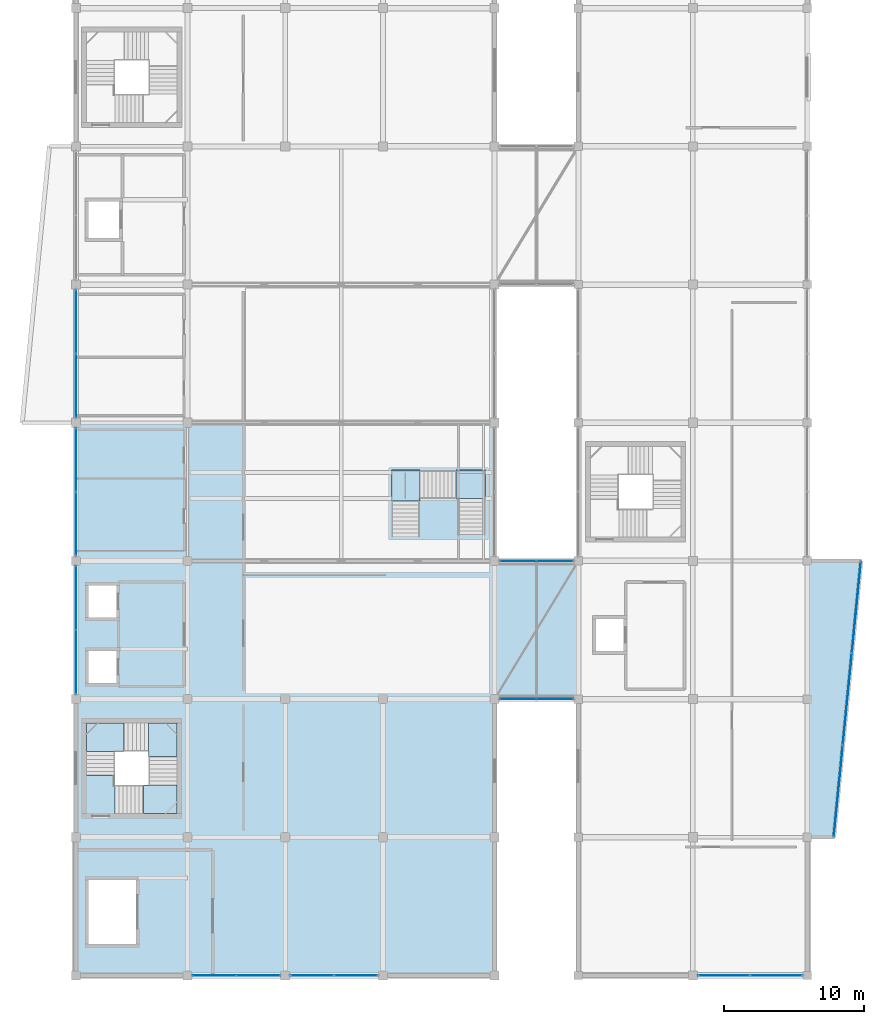
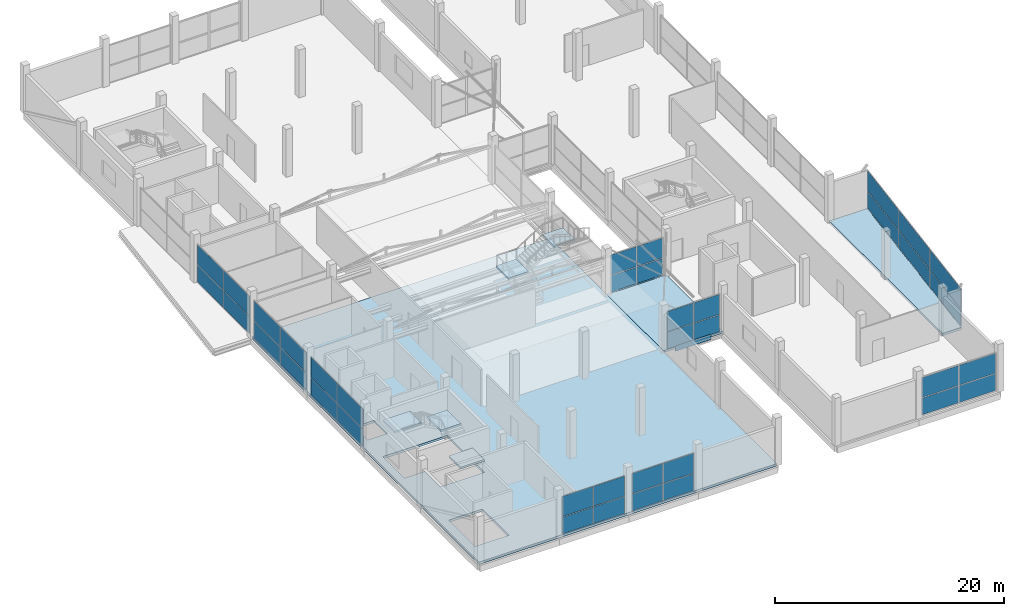
# One storey, part 48 of 66: 44 plates, 8 slabs, 11 elements without a shape of their own.
"""IFC4 building model written with IfcOpenShell, lengths in metres."""

from ifc_helpers import new_model, si_unit, direction, frame, origin, origin_2d, place, context, subcontext, project, spatial, polyline, rectangle, outline, extrude, material, layer, layer_set, type_object, element, aggregate, save


model = new_model("IFC4")

# Units and contexts
model_context = context("Model", 3, precision=1e-05, world=origin(), true_north=direction((0.0, 1.0)))
body_context = subcontext(model_context, "Body", "Model", "MODEL_VIEW")
ifc_project = project(units=[si_unit("LENGTHUNIT", "METRE"), si_unit("AREAUNIT", "SQUARE_METRE"), si_unit("VOLUMEUNIT", "CUBIC_METRE"), si_unit("PLANEANGLEUNIT", "RADIAN"), si_unit("MASSUNIT", "GRAM", prefix="KILO")], contexts=[model_context])

# Site, building, storey
site_placement = place(None, origin())
site = spatial("IfcSite", under=ifc_project, at=site_placement, CompositionType="ELEMENT")
building_placement = place(site_placement, origin())
building = spatial("IfcBuilding", under=site, at=building_placement, Name="Sillaruma Civic Art Gallery", CompositionType="ELEMENT")
storey_placement = place(building_placement, frame((0.0, 0.0, 57.1201171875)))
storey = spatial("IfcBuildingStorey", under=building, at=storey_placement, Name="L11", CompositionType="ELEMENT", Elevation=57.1201171875)

# Plates
ifc_material_1 = material(Name="Anodised Zinc-Aluminium Alloy", Category="aluminium")
ifc_layer_1 = layer(ifc_material_1, 0.044921875, Name="Anodised Zinc-Aluminium Alloy")
ifc_layer_set_1 = layer_set([ifc_layer_1], Name="Anodised Zinc-Aluminium Alloy")
plate_type_1 = type_object("IfcPlateType", Name="PLT-FAS-01", PredefinedType="USERDEFINED", material=ifc_layer_set_1)
for number, where, z_axis, x_axis, name in (
    (1, (117.95751953125, 46.530029296875, -0.490234375), (0.0, 0.0, 1.0), (0.098010679679, 0.99518536297, 0.0), "Folded Fascia Cassette (PRW-L11-E-4)"),
    (2, (95.0, 39.60009765625, -0.47021484375), (0.0, 0.0, 1.0), (1.0, 0.0, 0.0), "Sky-Bridge Fascia Cassette (BRG-S:L11:S)"),
    (3, (95.0, 49.5, -0.47021484375), (0.0, 0.0, 1.0), (1.0, 0.0, 0.0), "Sky-Bridge Fascia Cassette (BRG-S:L11:N)"),
):
    element("IfcPlate", number, at=place(storey_placement, frame(where, z_axis=z_axis, x_axis=x_axis)), inside=storey, type_object=plate_type_1, Name=name, ObjectType="FASCIA CASSETTE", PredefinedType="USERDEFINED", context=body_context, shape_type="SweptSolid", body=[
        extrude(rectangle(XDim=3.60009765625, YDim=0.044921875, at=origin_2d()), origin(), (0.0, 0.0, 1.0), 0.580078125),
    ])
ifc_layer_2 = layer(ifc_material_1, 0.041015625, Name="Anodised Zinc-Aluminium Alloy")
ifc_layer_set_2 = layer_set([ifc_layer_2], Name="Anodised Zinc-Aluminium Alloy")
plate_type_2 = type_object("IfcPlateType", Name="PLT-FAS-02", PredefinedType="USERDEFINED", material=ifc_layer_set_2)
plate_1_placement = place(storey_placement, frame((116.592529296875, 32.669921875, -0.460205078125), z_axis=(0.0, 0.0, 1.0), x_axis=(0.098010679679, 0.99518536297, 0.0)))
element("IfcPlate", 4, at=plate_1_placement, inside=storey, type_object=plate_type_2, Name="Folded Fascia Cassette (PRW-L11-E-1)", ObjectType="FASCIA CASSETTE", PredefinedType="USERDEFINED", context=body_context, shape_type="SweptSolid", body=[
    extrude(rectangle(XDim=3.199951171875, YDim=0.041015625, at=origin_2d()), origin(), (0.0, 0.0, 1.0), 0.52001953125),
])
ifc_layer_3 = layer(ifc_material_1, 0.0380859375, Name="Anodised Zinc-Aluminium Alloy")
ifc_layer_set_3 = layer_set([ifc_layer_3], Name="Anodised Zinc-Aluminium Alloy")
plate_type_3 = type_object("IfcPlateType", Name="PLT-FAS-03", PredefinedType="USERDEFINED", material=ifc_layer_set_3)
plate_2_placement = place(storey_placement, frame((117.041015625, 37.22412109375, -0.440185546875), z_axis=(0.0, 0.0, 1.0), x_axis=(0.098010679679, 0.99518536297, 0.0)))
element("IfcPlate", 5, at=plate_2_placement, inside=storey, type_object=plate_type_3, Name="Folded Fascia Cassette (PRW-L11-E-2)", ObjectType="FASCIA CASSETTE", PredefinedType="USERDEFINED", context=body_context, shape_type="SweptSolid", body=[
    extrude(rectangle(XDim=2.800048828125, YDim=0.0380859375, at=origin_2d()), origin(), (0.0, 0.0, 1.0), 0.47998046875),
])
ifc_layer_4 = layer(ifc_material_1, 0.034912109375, Name="Anodised Zinc-Aluminium Alloy")
ifc_layer_set_4 = layer_set([ifc_layer_4], Name="Anodised Zinc-Aluminium Alloy")
plate_type_4 = type_object("IfcPlateType", Name="PLT-FAS-04", PredefinedType="USERDEFINED", material=ifc_layer_set_4)
plate_3_placement = place(storey_placement, frame((117.509033203125, 41.97607421875, -0.420166015625), z_axis=(0.0, 0.0, 1.0), x_axis=(0.098010679679, 0.99518536297, 0.0)))
element("IfcPlate", 6, at=plate_3_placement, inside=storey, type_object=plate_type_4, Name="Folded Fascia Cassette (PRW-L11-E-3)", ObjectType="FASCIA CASSETTE", PredefinedType="USERDEFINED", context=body_context, shape_type="SweptSolid", body=[
    extrude(rectangle(XDim=2.39990234375, YDim=0.034912109375, at=origin_2d()), origin(), (0.0, 0.0, 1.0), 0.43994140625),
])

# Curtain wall, plates
ifc_material_2 = material(Name="Thermally Broken Extruded Aluminium 6063-T6", Category="aluminium")
ifc_layer_5 = layer(ifc_material_2, 0.159912109375, Name="Thermally Broken Extruded Aluminium 6063-T6")
ifc_layer_set_5 = layer_set([ifc_layer_5], Name="Thermally Broken Extruded Aluminium 6063-T6")
curtain_wall_type_1 = type_object("IfcCurtainWallType", Name="CW-UNI-69", PredefinedType="NOTDEFINED", material=ifc_layer_set_5)
curtain_wall_1_placement = place(storey_placement, origin())
curtain_wall_1 = element("IfcCurtainWall", 7, at=curtain_wall_1_placement, inside=storey, type_object=curtain_wall_type_1, Name="Unitised Curtain Wall CW-69 (CW-L11-WBW-5)", PredefinedType="NOTDEFINED")
ifc_material_3 = material(Name="Low-E UV-Filtered Laminated Insulating Glass", Category="glass")
ifc_layer_6 = layer(ifc_material_3, 0.031982421875, Name="Low-E UV-Filtered Laminated Insulating Glass")
ifc_layer_set_6 = layer_set([ifc_layer_6], Name="Low-E UV-Filtered Laminated Insulating Glass")
plate_type_5 = type_object("IfcPlateType", Name="PNL-GLZ-32", PredefinedType="CURTAIN_PANEL", material=ifc_layer_set_6)
plate_4_placement = place(storey_placement, frame((62.0, 62.0537109375, 0.06494140625), z_axis=(0.0, 0.0, 1.0), x_axis=(0.0, 1.0, 0.0)))
plate_4 = element("IfcPlate", 8, at=plate_4_placement, type_object=plate_type_5, Name="CW-69 panel 1.1", PredefinedType="CURTAIN_PANEL", context=body_context, shape_type="SweptSolid", body=[
    extrude(rectangle(XDim=4.527587890625, YDim=0.031982421875, at=origin_2d()), origin(), (0.0, 0.0, 1.0), 1.797607421875),
])
plate_5_placement = place(storey_placement, frame((62.0, 62.0537109375, 1.927734375), z_axis=(0.0, 0.0, 1.0), x_axis=(0.0, 1.0, 0.0)))
plate_5 = element("IfcPlate", 9, at=plate_5_placement, type_object=plate_type_5, Name="CW-69 panel 1.2", PredefinedType="CURTAIN_PANEL", context=body_context, shape_type="SweptSolid", body=[
    extrude(rectangle(XDim=4.527587890625, YDim=0.031982421875, at=origin_2d()), origin(), (0.0, 0.0, 1.0), 2.127197265625),
])
plate_6_placement = place(storey_placement, frame((62.0, 66.646240234375, 0.06494140625), z_axis=(0.0, 0.0, 1.0), x_axis=(0.0, 1.0, 0.0)))
plate_6 = element("IfcPlate", 10, at=plate_6_placement, type_object=plate_type_5, Name="CW-69 panel 2.1", PredefinedType="CURTAIN_PANEL", context=body_context, shape_type="SweptSolid", body=[
    extrude(rectangle(XDim=4.527587890625, YDim=0.031982421875, at=origin_2d()), origin(), (0.0, 0.0, 1.0), 1.797607421875),
])
plate_7_placement = place(storey_placement, frame((62.0, 66.646240234375, 1.927734375), z_axis=(0.0, 0.0, 1.0), x_axis=(0.0, 1.0, 0.0)))
plate_7 = element("IfcPlate", 11, at=plate_7_placement, type_object=plate_type_5, Name="CW-69 panel 2.2", PredefinedType="CURTAIN_PANEL", context=body_context, shape_type="SweptSolid", body=[
    extrude(rectangle(XDim=4.527587890625, YDim=0.031982421875, at=origin_2d()), origin(), (0.0, 0.0, 1.0), 2.127197265625),
])
aggregate(curtain_wall_1, [plate_4, plate_5, plate_6, plate_7])

ifc_layer_7 = layer(ifc_material_2, 0.139892578125, Name="Thermally Broken Extruded Aluminium 6063-T6")
ifc_layer_set_7 = layer_set([ifc_layer_7], Name="Thermally Broken Extruded Aluminium 6063-T6")
curtain_wall_type_2 = type_object("IfcCurtainWallType", Name="CW-UNI-70", PredefinedType="NOTDEFINED", material=ifc_layer_set_7)
curtain_wall_2_placement = place(storey_placement, origin())
curtain_wall_2 = element("IfcCurtainWall", 12, at=curtain_wall_2_placement, inside=storey, type_object=curtain_wall_type_2, Name="Unitised Curtain Wall CW-70 (CW-L11-WBW-3)", PredefinedType="NOTDEFINED")
ifc_layer_8 = layer(ifc_material_3, 0.033935546875, Name="Low-E UV-Filtered Laminated Insulating Glass")
ifc_layer_set_8 = layer_set([ifc_layer_8], Name="Low-E UV-Filtered Laminated Insulating Glass")
plate_type_6 = type_object("IfcPlateType", Name="PNL-GLZ-34", PredefinedType="CURTAIN_PANEL", material=ifc_layer_set_8)
plate_8_placement = place(storey_placement, frame((62.0, 42.25244140625, 0.06494140625), z_axis=(0.0, 0.0, 1.0), x_axis=(0.0, 1.0, 0.0)))
plate_8 = element("IfcPlate", 13, at=plate_8_placement, type_object=plate_type_6, Name="CW-70 panel 1.1", PredefinedType="CURTAIN_PANEL", context=body_context, shape_type="SweptSolid", body=[
    extrude(rectangle(XDim=4.534912109375, YDim=0.033935546875, at=origin_2d()), origin(), (0.0, 0.0, 1.0), 1.797607421875),
])
plate_9_placement = place(storey_placement, frame((62.0, 42.25244140625, 1.927734375), z_axis=(0.0, 0.0, 1.0), x_axis=(0.0, 1.0, 0.0)))
plate_9 = element("IfcPlate", 14, at=plate_9_placement, type_object=plate_type_6, Name="CW-70 panel 1.2", PredefinedType="CURTAIN_PANEL", context=body_context, shape_type="SweptSolid", body=[
    extrude(rectangle(XDim=4.534912109375, YDim=0.033935546875, at=origin_2d()), origin(), (0.0, 0.0, 1.0), 2.127197265625),
])
plate_10_placement = place(storey_placement, frame((62.0, 46.847412109375, 0.06494140625), z_axis=(0.0, 0.0, 1.0), x_axis=(0.0, 1.0, 0.0)))
plate_10 = element("IfcPlate", 15, at=plate_10_placement, type_object=plate_type_6, Name="CW-70 panel 2.1", PredefinedType="CURTAIN_PANEL", context=body_context, shape_type="SweptSolid", body=[
    extrude(rectangle(XDim=4.534912109375, YDim=0.033935546875, at=origin_2d()), origin(), (0.0, 0.0, 1.0), 1.797607421875),
])
plate_11_placement = place(storey_placement, frame((62.0, 46.847412109375, 1.927734375), z_axis=(0.0, 0.0, 1.0), x_axis=(0.0, 1.0, 0.0)))
plate_11 = element("IfcPlate", 16, at=plate_11_placement, type_object=plate_type_6, Name="CW-70 panel 2.2", PredefinedType="CURTAIN_PANEL", context=body_context, shape_type="SweptSolid", body=[
    extrude(rectangle(XDim=4.534912109375, YDim=0.033935546875, at=origin_2d()), origin(), (0.0, 0.0, 1.0), 2.127197265625),
])
aggregate(curtain_wall_2, [plate_8, plate_9, plate_10, plate_11])

ifc_layer_9 = layer(ifc_material_2, 0.139892578125, Name="Thermally Broken Extruded Aluminium 6063-T6")
ifc_layer_set_9 = layer_set([ifc_layer_9], Name="Thermally Broken Extruded Aluminium 6063-T6")
curtain_wall_type_3 = type_object("IfcCurtainWallType", Name="CW-UNI-76", PredefinedType="NOTDEFINED", material=ifc_layer_set_9)
curtain_wall_3_placement = place(storey_placement, origin())
curtain_wall_3 = element("IfcCurtainWall", 17, at=curtain_wall_3_placement, inside=storey, type_object=curtain_wall_type_3, Name="Unitised Curtain Wall CW-76 (CW-L11-WBS-2)", PredefinedType="NOTDEFINED")
plate_12_placement = place(storey_placement, frame((71.927490234375, 19.800048828125, 0.06494140625), z_axis=(0.0, 0.0, 1.0), x_axis=(1.0, 0.0, 0.0)))
plate_12 = element("IfcPlate", 18, at=plate_12_placement, type_object=plate_type_6, Name="CW-76 panel 1.1", PredefinedType="CURTAIN_PANEL", context=body_context, shape_type="SweptSolid", body=[
    extrude(rectangle(XDim=3.0849609375, YDim=0.033935546875, at=origin_2d()), origin(), (0.0, 0.0, 1.0), 1.797607421875),
])
plate_13_placement = place(storey_placement, frame((71.927490234375, 19.800048828125, 1.927734375), z_axis=(0.0, 0.0, 1.0), x_axis=(1.0, 0.0, 0.0)))
plate_13 = element("IfcPlate", 19, at=plate_13_placement, type_object=plate_type_6, Name="CW-76 panel 1.2", PredefinedType="CURTAIN_PANEL", context=body_context, shape_type="SweptSolid", body=[
    extrude(rectangle(XDim=3.0849609375, YDim=0.033935546875, at=origin_2d()), origin(), (0.0, 0.0, 1.0), 2.127197265625),
])
plate_14_placement = place(storey_placement, frame((75.072509765625, 19.800048828125, 0.06494140625), z_axis=(0.0, 0.0, 1.0), x_axis=(1.0, 0.0, 0.0)))
plate_14 = element("IfcPlate", 20, at=plate_14_placement, type_object=plate_type_6, Name="CW-76 panel 2.1", PredefinedType="CURTAIN_PANEL", context=body_context, shape_type="SweptSolid", body=[
    extrude(rectangle(XDim=3.0849609375, YDim=0.033935546875, at=origin_2d()), origin(), (0.0, 0.0, 1.0), 1.797607421875),
])
plate_15_placement = place(storey_placement, frame((75.072509765625, 19.800048828125, 1.927734375), z_axis=(0.0, 0.0, 1.0), x_axis=(1.0, 0.0, 0.0)))
plate_15 = element("IfcPlate", 21, at=plate_15_placement, type_object=plate_type_6, Name="CW-76 panel 2.2", PredefinedType="CURTAIN_PANEL", context=body_context, shape_type="SweptSolid", body=[
    extrude(rectangle(XDim=3.0849609375, YDim=0.033935546875, at=origin_2d()), origin(), (0.0, 0.0, 1.0), 2.127197265625),
])
aggregate(curtain_wall_3, [plate_12, plate_13, plate_14, plate_15])

ifc_layer_10 = layer(ifc_material_2, 0.179931640625, Name="Thermally Broken Extruded Aluminium 6063-T6")
ifc_layer_set_10 = layer_set([ifc_layer_10], Name="Thermally Broken Extruded Aluminium 6063-T6")
curtain_wall_type_4 = type_object("IfcCurtainWallType", Name="CW-UNI-66", PredefinedType="NOTDEFINED", material=ifc_layer_set_10)
curtain_wall_4_placement = place(storey_placement, origin())
curtain_wall_4 = element("IfcCurtainWall", 22, at=curtain_wall_4_placement, inside=storey, type_object=curtain_wall_type_4, Name="Unitised Curtain Wall CW-66 (CW-L11-WBW-4)", PredefinedType="NOTDEFINED")
ifc_layer_11 = layer(ifc_material_3, 0.035888671875, Name="Low-E UV-Filtered Laminated Insulating Glass")
ifc_layer_set_11 = layer_set([ifc_layer_11], Name="Low-E UV-Filtered Laminated Insulating Glass")
plate_type_7 = type_object("IfcPlateType", Name="PNL-GLZ-36", PredefinedType="CURTAIN_PANEL", material=ifc_layer_set_11)
plate_16_placement = place(storey_placement, frame((62.0, 52.155029296875, 0.06982421875), z_axis=(0.0, 0.0, 1.0), x_axis=(0.0, 1.0, 0.0)))
plate_16 = element("IfcPlate", 23, at=plate_16_placement, type_object=plate_type_7, Name="CW-66 panel 1.1", PredefinedType="CURTAIN_PANEL", context=body_context, shape_type="SweptSolid", body=[
    extrude(rectangle(XDim=4.52001953125, YDim=0.035888671875, at=origin_2d()), origin(), (0.0, 0.0, 1.0), 1.790283203125),
])
plate_17_placement = place(storey_placement, frame((62.0, 52.155029296875, 1.93017578125), z_axis=(0.0, 0.0, 1.0), x_axis=(0.0, 1.0, 0.0)))
plate_17 = element("IfcPlate", 24, at=plate_17_placement, type_object=plate_type_7, Name="CW-66 panel 1.2", PredefinedType="CURTAIN_PANEL", context=body_context, shape_type="SweptSolid", body=[
    extrude(rectangle(XDim=4.52001953125, YDim=0.035888671875, at=origin_2d()), origin(), (0.0, 0.0, 1.0), 2.119873046875),
])
plate_18_placement = place(storey_placement, frame((62.0, 56.7451171875, 0.06982421875), z_axis=(0.0, 0.0, 1.0), x_axis=(0.0, 1.0, 0.0)))
plate_18 = element("IfcPlate", 25, at=plate_18_placement, type_object=plate_type_7, Name="CW-66 panel 2.1", PredefinedType="CURTAIN_PANEL", context=body_context, shape_type="SweptSolid", body=[
    extrude(rectangle(XDim=4.52001953125, YDim=0.035888671875, at=origin_2d()), origin(), (0.0, 0.0, 1.0), 1.790283203125),
])
plate_19_placement = place(storey_placement, frame((62.0, 56.7451171875, 1.93017578125), z_axis=(0.0, 0.0, 1.0), x_axis=(0.0, 1.0, 0.0)))
plate_19 = element("IfcPlate", 26, at=plate_19_placement, type_object=plate_type_7, Name="CW-66 panel 2.2", PredefinedType="CURTAIN_PANEL", context=body_context, shape_type="SweptSolid", body=[
    extrude(rectangle(XDim=4.52001953125, YDim=0.035888671875, at=origin_2d()), origin(), (0.0, 0.0, 1.0), 2.119873046875),
])
aggregate(curtain_wall_4, [plate_16, plate_17, plate_18, plate_19])

ifc_layer_12 = layer(ifc_material_2, 0.179931640625, Name="Thermally Broken Extruded Aluminium 6063-T6")
ifc_layer_set_12 = layer_set([ifc_layer_12], Name="Thermally Broken Extruded Aluminium 6063-T6")
curtain_wall_type_5 = type_object("IfcCurtainWallType", Name="CW-UNI-86", PredefinedType="NOTDEFINED", material=ifc_layer_set_12)
curtain_wall_5_placement = place(storey_placement, origin())
curtain_wall_5 = element("IfcCurtainWall", 27, at=curtain_wall_5_placement, inside=storey, type_object=curtain_wall_type_5, Name="Unitised Curtain Wall CW-86 (CW-L11-WBS-3)", PredefinedType="NOTDEFINED")
plate_20_placement = place(storey_placement, frame((78.929931640625, 19.800048828125, 0.06982421875), z_axis=(0.0, 0.0, 1.0), x_axis=(1.0, 0.0, 0.0)))
plate_20 = element("IfcPlate", 28, at=plate_20_placement, type_object=plate_type_7, Name="CW-86 panel 1.1", PredefinedType="CURTAIN_PANEL", context=body_context, shape_type="SweptSolid", body=[
    extrude(rectangle(XDim=3.070068359375, YDim=0.035888671875, at=origin_2d()), origin(), (0.0, 0.0, 1.0), 1.790283203125),
])
plate_21_placement = place(storey_placement, frame((78.929931640625, 19.800048828125, 1.93017578125), z_axis=(0.0, 0.0, 1.0), x_axis=(1.0, 0.0, 0.0)))
plate_21 = element("IfcPlate", 29, at=plate_21_placement, type_object=plate_type_7, Name="CW-86 panel 1.2", PredefinedType="CURTAIN_PANEL", context=body_context, shape_type="SweptSolid", body=[
    extrude(rectangle(XDim=3.070068359375, YDim=0.035888671875, at=origin_2d()), origin(), (0.0, 0.0, 1.0), 2.119873046875),
])
plate_22_placement = place(storey_placement, frame((82.070068359375, 19.800048828125, 0.06982421875), z_axis=(0.0, 0.0, 1.0), x_axis=(1.0, 0.0, 0.0)))
plate_22 = element("IfcPlate", 30, at=plate_22_placement, type_object=plate_type_7, Name="CW-86 panel 2.1", PredefinedType="CURTAIN_PANEL", context=body_context, shape_type="SweptSolid", body=[
    extrude(rectangle(XDim=3.070068359375, YDim=0.035888671875, at=origin_2d()), origin(), (0.0, 0.0, 1.0), 1.790283203125),
])
plate_23_placement = place(storey_placement, frame((82.070068359375, 19.800048828125, 1.93017578125), z_axis=(0.0, 0.0, 1.0), x_axis=(1.0, 0.0, 0.0)))
plate_23 = element("IfcPlate", 31, at=plate_23_placement, type_object=plate_type_7, Name="CW-86 panel 2.2", PredefinedType="CURTAIN_PANEL", context=body_context, shape_type="SweptSolid", body=[
    extrude(rectangle(XDim=3.070068359375, YDim=0.035888671875, at=origin_2d()), origin(), (0.0, 0.0, 1.0), 2.119873046875),
])
aggregate(curtain_wall_5, [plate_20, plate_21, plate_22, plate_23])

ifc_layer_13 = layer(ifc_material_2, 0.179931640625, Name="Thermally Broken Extruded Aluminium 6063-T6")
ifc_layer_set_13 = layer_set([ifc_layer_13], Name="Thermally Broken Extruded Aluminium 6063-T6")
curtain_wall_type_6 = type_object("IfcCurtainWallType", Name="CW-UNI-87", PredefinedType="NOTDEFINED", material=ifc_layer_set_13)
curtain_wall_6_placement = place(storey_placement, origin())
curtain_wall_6 = element("IfcCurtainWall", 32, at=curtain_wall_6_placement, inside=storey, type_object=curtain_wall_type_6, Name="Unitised Curtain Wall CW-87 (CW-L11-EBS-2)", PredefinedType="NOTDEFINED")
plate_24_placement = place(storey_placement, frame((108.436279296875, 19.800048828125, 0.06982421875), z_axis=(0.0, 0.0, 1.0), x_axis=(1.0, 0.0, 0.0)))
plate_24 = element("IfcPlate", 33, at=plate_24_placement, type_object=plate_type_7, Name="CW-87 panel 1.1", PredefinedType="CURTAIN_PANEL", context=body_context, shape_type="SweptSolid", body=[
    extrude(rectangle(XDim=3.6826171875, YDim=0.035888671875, at=origin_2d()), origin(), (0.0, 0.0, 1.0), 1.790283203125),
])
plate_25_placement = place(storey_placement, frame((108.436279296875, 19.800048828125, 1.93017578125), z_axis=(0.0, 0.0, 1.0), x_axis=(1.0, 0.0, 0.0)))
plate_25 = element("IfcPlate", 34, at=plate_25_placement, type_object=plate_type_7, Name="CW-87 panel 1.2", PredefinedType="CURTAIN_PANEL", context=body_context, shape_type="SweptSolid", body=[
    extrude(rectangle(XDim=3.6826171875, YDim=0.035888671875, at=origin_2d()), origin(), (0.0, 0.0, 1.0), 2.119873046875),
])
plate_26_placement = place(storey_placement, frame((112.188720703125, 19.800048828125, 0.06982421875), z_axis=(0.0, 0.0, 1.0), x_axis=(1.0, 0.0, 0.0)))
plate_26 = element("IfcPlate", 35, at=plate_26_placement, type_object=plate_type_7, Name="CW-87 panel 2.1", PredefinedType="CURTAIN_PANEL", context=body_context, shape_type="SweptSolid", body=[
    extrude(rectangle(XDim=3.6826171875, YDim=0.035888671875, at=origin_2d()), origin(), (0.0, 0.0, 1.0), 1.790283203125),
])
plate_27_placement = place(storey_placement, frame((112.188720703125, 19.800048828125, 1.93017578125), z_axis=(0.0, 0.0, 1.0), x_axis=(1.0, 0.0, 0.0)))
plate_27 = element("IfcPlate", 36, at=plate_27_placement, type_object=plate_type_7, Name="CW-87 panel 2.2", PredefinedType="CURTAIN_PANEL", context=body_context, shape_type="SweptSolid", body=[
    extrude(rectangle(XDim=3.6826171875, YDim=0.035888671875, at=origin_2d()), origin(), (0.0, 0.0, 1.0), 2.119873046875),
])
aggregate(curtain_wall_6, [plate_24, plate_25, plate_26, plate_27])

ifc_layer_14 = layer(ifc_material_2, 0.179931640625, Name="Thermally Broken Extruded Aluminium 6063-T6")
ifc_layer_set_14 = layer_set([ifc_layer_14], Name="Thermally Broken Extruded Aluminium 6063-T6")
curtain_wall_type_7 = type_object("IfcCurtainWallType", Name="CW-UNI-88", PredefinedType="NOTDEFINED", material=ifc_layer_set_14)
curtain_wall_7_placement = place(storey_placement, origin())
curtain_wall_7 = element("IfcCurtainWall", 37, at=curtain_wall_7_placement, inside=storey, type_object=curtain_wall_type_7, Name="Unitised Curtain Wall CW-88 (CW-PRW-L11-E-ANG)", PredefinedType="NOTDEFINED")
ifc_layer_15 = layer(ifc_material_3, 0.0400390625, Name="Low-E UV-Filtered Laminated Insulating Glass")
ifc_layer_set_15 = layer_set([ifc_layer_15], Name="Low-E UV-Filtered Laminated Insulating Glass")
plate_type_8 = type_object("IfcPlateType", Name="PNL-GLZ-40", PredefinedType="CURTAIN_PANEL", material=ifc_layer_set_15)
plate_28_placement = place(storey_placement, frame((116.626708984375, 33.017333984375, 0.06494140625), z_axis=(0.0, 0.0, 1.0), x_axis=(0.098010679679, 0.99518536297, 0.0)))
plate_28 = element("IfcPlate", 38, at=plate_28_placement, type_object=plate_type_8, Name="CW-88 panel 1.1", PredefinedType="CURTAIN_PANEL", context=body_context, shape_type="SweptSolid", body=[
    extrude(rectangle(XDim=6.52685546875, YDim=0.0400390625, at=origin_2d()), origin(), (0.0, 0.0, 1.0), 1.797607421875),
])
plate_29_placement = place(storey_placement, frame((116.626708984375, 33.017333984375, 1.927734375), z_axis=(0.0, 0.0, 1.0), x_axis=(0.098010679679, 0.99518536297, 0.0)))
plate_29 = element("IfcPlate", 39, at=plate_29_placement, type_object=plate_type_8, Name="CW-88 panel 1.2", PredefinedType="CURTAIN_PANEL", context=body_context, shape_type="SweptSolid", body=[
    extrude(rectangle(XDim=6.52685546875, YDim=0.0400390625, at=origin_2d()), origin(), (0.0, 0.0, 1.0), 2.127197265625),
])
plate_30_placement = place(storey_placement, frame((117.27490234375, 39.60009765625, 0.06494140625), z_axis=(0.0, 0.0, 1.0), x_axis=(0.098010679679, 0.99518536297, 0.0)))
plate_30 = element("IfcPlate", 40, at=plate_30_placement, type_object=plate_type_8, Name="CW-88 panel 2.1", PredefinedType="CURTAIN_PANEL", context=body_context, shape_type="SweptSolid", body=[
    extrude(rectangle(XDim=6.56201171875, YDim=0.0400390625, at=origin_2d()), origin(), (0.0, 0.0, 1.0), 1.797607421875),
])
plate_31_placement = place(storey_placement, frame((117.27490234375, 39.60009765625, 1.927734375), z_axis=(0.0, 0.0, 1.0), x_axis=(0.098010679679, 0.99518536297, 0.0)))
plate_31 = element("IfcPlate", 41, at=plate_31_placement, type_object=plate_type_8, Name="CW-88 panel 2.2", PredefinedType="CURTAIN_PANEL", context=body_context, shape_type="SweptSolid", body=[
    extrude(rectangle(XDim=6.56201171875, YDim=0.0400390625, at=origin_2d()), origin(), (0.0, 0.0, 1.0), 2.127197265625),
])
plate_32_placement = place(storey_placement, frame((117.92333984375, 46.1826171875, 0.06494140625), z_axis=(0.0, 0.0, 1.0), x_axis=(0.098010679679, 0.99518536297, 0.0)))
plate_32 = element("IfcPlate", 42, at=plate_32_placement, type_object=plate_type_8, Name="CW-88 panel 3.1", PredefinedType="CURTAIN_PANEL", context=body_context, shape_type="SweptSolid", body=[
    extrude(rectangle(XDim=6.52685546875, YDim=0.0400390625, at=origin_2d()), origin(), (0.0, 0.0, 1.0), 1.797607421875),
])
plate_33_placement = place(storey_placement, frame((117.92333984375, 46.1826171875, 1.927734375), z_axis=(0.0, 0.0, 1.0), x_axis=(0.098010679679, 0.99518536297, 0.0)))
plate_33 = element("IfcPlate", 43, at=plate_33_placement, type_object=plate_type_8, Name="CW-88 panel 3.2", PredefinedType="CURTAIN_PANEL", context=body_context, shape_type="SweptSolid", body=[
    extrude(rectangle(XDim=6.52685546875, YDim=0.0400390625, at=origin_2d()), origin(), (0.0, 0.0, 1.0), 2.127197265625),
])
aggregate(curtain_wall_7, [plate_28, plate_29, plate_30, plate_31, plate_32, plate_33])

# Curtain wall, plate
ifc_layer_16 = layer(ifc_material_2, 0.179931640625, Name="Thermally Broken Extruded Aluminium 6063-T6")
ifc_layer_set_16 = layer_set([ifc_layer_16], Name="Thermally Broken Extruded Aluminium 6063-T6")
curtain_wall_type_8 = type_object("IfcCurtainWallType", Name="CW-UNI-89", PredefinedType="NOTDEFINED", material=ifc_layer_set_16)
curtain_wall_8_placement = place(storey_placement, origin())
curtain_wall_8 = element("IfcCurtainWall", 44, at=curtain_wall_8_placement, inside=storey, type_object=curtain_wall_type_8, Name="Unitised Curtain Wall CW-89 (CW-BRG-S-L11-S)", PredefinedType="NOTDEFINED")
plate_34_placement = place(storey_placement, frame((93.686279296875, 39.60009765625, 0.06494140625), z_axis=(0.0, 0.0, 1.0), x_axis=(1.0, 0.0, 0.0)))
plate_34 = element("IfcPlate", 45, at=plate_34_placement, type_object=plate_type_8, Name="CW-89 panel 1.1", PredefinedType="CURTAIN_PANEL", context=body_context, shape_type="SweptSolid", body=[
    extrude(rectangle(XDim=2.58251953125, YDim=0.0400390625, at=origin_2d()), origin(), (0.0, 0.0, 1.0), 1.797607421875),
])

curtain_wall_9_placement = place(storey_placement, origin())
curtain_wall_9 = element("IfcCurtainWall", 46, at=curtain_wall_9_placement, inside=storey, type_object=curtain_wall_type_8, Name="Unitised Curtain Wall CW-89 (CW-BRG-S-L11-N)", PredefinedType="NOTDEFINED")
plate_35_placement = place(storey_placement, frame((93.686279296875, 49.5, 0.06494140625), z_axis=(0.0, 0.0, 1.0), x_axis=(1.0, 0.0, 0.0)))
plate_35 = element("IfcPlate", 47, at=plate_35_placement, type_object=plate_type_8, Name="CW-89 panel 1.1", PredefinedType="CURTAIN_PANEL", context=body_context, shape_type="SweptSolid", body=[
    extrude(rectangle(XDim=2.58251953125, YDim=0.0400390625, at=origin_2d()), origin(), (0.0, 0.0, 1.0), 1.797607421875),
])

# Plate
ifc_layer_17 = layer(ifc_material_1, 0.0400390625, Name="Anodised Zinc-Aluminium Alloy")
ifc_layer_set_17 = layer_set([ifc_layer_17], Name="Anodised Zinc-Aluminium Alloy")
plate_type_9 = type_object("IfcPlateType", Name="PNL-SPD-40", PredefinedType="CURTAIN_PANEL", material=ifc_layer_set_17)
plate_36_placement = place(storey_placement, frame((93.686279296875, 39.60009765625, 1.927734375), z_axis=(0.0, 0.0, 1.0), x_axis=(1.0, 0.0, 0.0)))
plate_36 = element("IfcPlate", 48, at=plate_36_placement, type_object=plate_type_9, Name="CW-89 panel 1.2", PredefinedType="CURTAIN_PANEL", context=body_context, shape_type="SweptSolid", body=[
    extrude(rectangle(XDim=2.58251953125, YDim=0.0400390625, at=origin_2d()), origin(), (0.0, 0.0, 1.0), 2.127197265625),
])

plate_37_placement = place(storey_placement, frame((96.3388671875, 39.60009765625, 0.06494140625), z_axis=(0.0, 0.0, 1.0), x_axis=(1.0, 0.0, 0.0)))
plate_37 = element("IfcPlate", 49, at=plate_37_placement, type_object=plate_type_9, Name="CW-89 panel 2.1", PredefinedType="CURTAIN_PANEL", context=body_context, shape_type="SweptSolid", body=[
    extrude(rectangle(XDim=2.58251953125, YDim=0.0400390625, at=origin_2d()), origin(), (0.0, 0.0, 1.0), 1.797607421875),
])

plate_38_placement = place(storey_placement, frame((96.3388671875, 39.60009765625, 1.927734375), z_axis=(0.0, 0.0, 1.0), x_axis=(1.0, 0.0, 0.0)))
plate_38 = element("IfcPlate", 50, at=plate_38_placement, type_object=plate_type_9, Name="CW-89 panel 2.2", PredefinedType="CURTAIN_PANEL", context=body_context, shape_type="SweptSolid", body=[
    extrude(rectangle(XDim=2.58251953125, YDim=0.0400390625, at=origin_2d()), origin(), (0.0, 0.0, 1.0), 2.127197265625),
])

aggregate(curtain_wall_8, [plate_34, plate_36, plate_37, plate_38])

plate_39_placement = place(storey_placement, frame((93.686279296875, 49.5, 1.927734375), z_axis=(0.0, 0.0, 1.0), x_axis=(1.0, 0.0, 0.0)))
plate_39 = element("IfcPlate", 51, at=plate_39_placement, type_object=plate_type_9, Name="CW-89 panel 1.2", PredefinedType="CURTAIN_PANEL", context=body_context, shape_type="SweptSolid", body=[
    extrude(rectangle(XDim=2.58251953125, YDim=0.0400390625, at=origin_2d()), origin(), (0.0, 0.0, 1.0), 2.127197265625),
])

plate_40_placement = place(storey_placement, frame((96.3388671875, 49.5, 0.06494140625), z_axis=(0.0, 0.0, 1.0), x_axis=(1.0, 0.0, 0.0)))
plate_40 = element("IfcPlate", 52, at=plate_40_placement, type_object=plate_type_9, Name="CW-89 panel 2.1", PredefinedType="CURTAIN_PANEL", context=body_context, shape_type="SweptSolid", body=[
    extrude(rectangle(XDim=2.58251953125, YDim=0.0400390625, at=origin_2d()), origin(), (0.0, 0.0, 1.0), 1.797607421875),
])

plate_41_placement = place(storey_placement, frame((96.3388671875, 49.5, 1.927734375), z_axis=(0.0, 0.0, 1.0), x_axis=(1.0, 0.0, 0.0)))
plate_41 = element("IfcPlate", 53, at=plate_41_placement, type_object=plate_type_9, Name="CW-89 panel 2.2", PredefinedType="CURTAIN_PANEL", context=body_context, shape_type="SweptSolid", body=[
    extrude(rectangle(XDim=2.58251953125, YDim=0.0400390625, at=origin_2d()), origin(), (0.0, 0.0, 1.0), 2.127197265625),
])

aggregate(curtain_wall_9, [plate_35, plate_39, plate_40, plate_41])

# Slabs
ifc_material_4 = material(Name="Concrete H35 (35 MPa)", Category="concrete")
ifc_layer_18 = layer(ifc_material_4, 0.2099609375, Name="Concrete H35 (35 MPa)")
ifc_layer_set_18 = layer_set([ifc_layer_18], Name="Concrete H35 (35 MPa)")
slab_type_1 = type_object("IfcSlabType", Name="SLB-FLR-210", PredefinedType="FLOOR", material=ifc_layer_set_18)
slab_1_placement = place(storey_placement, frame((0.0, 0.0, -0.210205078125)))
element("IfcSlab", 54, at=slab_1_placement, inside=storey, type_object=slab_type_1, Name="Floor Slab SF-210 (SLB-L11-BRGS)", PredefinedType="FLOOR", context=body_context, shape_type="SweptSolid", body=[
    extrude(outline(polyline([(92.0, 39.60009765625), (98.0, 39.60009765625), (98.0, 49.5), (92.0, 49.5), (92.0, 39.60009765625)])), origin(), (0.0, 0.0, 1.0), 0.210205078125),
])
ifc_layer_19 = layer(ifc_material_4, 0.25, Name="Concrete H35 (35 MPa)")
ifc_layer_set_19 = layer_set([ifc_layer_19], Name="Concrete H35 (35 MPa)")
slab_type_2 = type_object("IfcSlabType", Name="SLB-FLR-250", PredefinedType="FLOOR", material=ifc_layer_set_19)
slab_2_placement = place(storey_placement, frame((0.0, 0.0, -0.25)))
element("IfcSlab", 55, at=slab_2_placement, inside=storey, type_object=slab_type_2, Name="Floor Slab SF-250 (SLB-L11-WESTS)", PredefinedType="FLOOR", context=body_context, shape_type="SweptSolid", body=[
    extrude(outline(polyline([(62.0, 19.800048828125), (92.0, 19.800048828125), (92.0, 59.39990234375), (62.0, 59.39990234375), (62.0, 19.800048828125)]), holes=[polyline([(64.81494140625, 31.409912109375), (69.239990234375, 31.409912109375), (69.239990234375, 37.889892578125), (62.760009765625, 37.889892578125), (62.760009765625, 34.125), (64.81494140625, 34.125), (64.81494140625, 31.409912109375)]), polyline([(62.89990234375, 40.75), (64.89990234375, 40.75), (64.89990234375, 43.050048828125), (62.89990234375, 43.050048828125), (62.89990234375, 40.75)]), polyline([(62.89990234375, 45.449951171875), (64.89990234375, 45.449951171875), (64.89990234375, 47.75), (62.89990234375, 47.75), (62.89990234375, 45.449951171875)]), polyline([(62.89990234375, 22.050048828125), (66.300048828125, 22.050048828125), (66.300048828125, 26.64990234375), (62.89990234375, 26.64990234375), (62.89990234375, 22.050048828125)])]), origin(), (0.0, 0.0, 1.0), 0.25),
])
slab_3_placement = place(storey_placement, frame((0.0, 0.0, -0.25)))
element("IfcSlab", 56, at=slab_3_placement, inside=storey, type_object=slab_type_2, Name="Floor Slab SF-250 (SLB-L11-PRWE)", PredefinedType="FLOOR", context=body_context, shape_type="SweptSolid", body=[
    extrude(outline(polyline([(114.39990234375, 29.699951171875), (116.300048828125, 29.699951171875), (118.25, 49.5), (114.39990234375, 49.5), (114.39990234375, 29.699951171875)])), origin(), (0.0, 0.0, 1.0), 0.25),
])

# Stair, slabs
stair_type_1 = type_object("IfcStairType", Name="STR-3F-30", PredefinedType="TWO_QUARTER_TURN_STAIR", material=ifc_material_4)
stair_1_placement = place(storey_placement, origin())
stair_1 = element("IfcStair", 57, at=stair_1_placement, inside=storey, type_object=stair_type_1, Name="Monumental Gallery Feature Stair ST-G07 (L11)", PredefinedType="TWO_QUARTER_TURN_STAIR")
ifc_layer_20 = layer(ifc_material_4, 0.18505859375, Name="Concrete H35 (35 MPa)")
ifc_layer_set_20 = layer_set([ifc_layer_20], Name="Concrete H35 (35 MPa)")
slab_type_3 = type_object("IfcSlabType", Name="SLB-LND-185", PredefinedType="LANDING", material=ifc_layer_set_20)
slab_4_placement = place(storey_placement, frame((0.0, 0.0, 1.514892578125)))
slab_4 = element("IfcSlab", 58, at=slab_4_placement, type_object=slab_type_3, Name="ST-G07 landing 1", PredefinedType="LANDING", context=body_context, shape_type="SweptSolid", body=[
    extrude(outline(polyline([(84.60009765625, 53.81005859375), (86.639892578125, 53.81005859375), (86.639892578125, 56.0), (84.60009765625, 56.0), (84.60009765625, 53.81005859375)])), origin(), (0.0, 0.0, 1.0), 0.18505859375),
])
slab_5_placement = place(storey_placement, frame((0.0, 0.0, 3.21484375)))
slab_5 = element("IfcSlab", 59, at=slab_5_placement, type_object=slab_type_3, Name="ST-G07 landing 2", PredefinedType="LANDING", context=body_context, shape_type="SweptSolid", body=[
    extrude(outline(polyline([(89.25, 53.9599609375), (91.360107421875, 53.9599609375), (91.360107421875, 56.0), (89.25, 56.0), (89.25, 53.9599609375)])), origin(), (0.0, 0.0, 1.0), 0.18505859375),
])
aggregate(stair_1, [slab_4, slab_5])

stair_type_2 = type_object("IfcStairType", Name="STR-4F-30", PredefinedType="USERDEFINED", material=ifc_material_4)
stair_2_placement = place(storey_placement, origin())
stair_2 = element("IfcStair", 60, at=stair_2_placement, inside=storey, type_object=stair_type_2, Name="Protected Exit Stair ST-03 (West Bar South) (L11)", ObjectType="THREE_RETURN_STAIR", PredefinedType="USERDEFINED")
ifc_layer_21 = layer(ifc_material_4, 0.199951171875, Name="Concrete H35 (35 MPa)")
ifc_layer_set_21 = layer_set([ifc_layer_21], Name="Concrete H35 (35 MPa)")
slab_type_4 = type_object("IfcSlabType", Name="SLB-LND-200", PredefinedType="LANDING", material=ifc_layer_set_21)
slab_6_placement = place(storey_placement, frame((0.0, 0.0, 1.159912109375)))
slab_6 = element("IfcSlab", 61, at=slab_6_placement, type_object=slab_type_4, Name="ST-03 landing 1", PredefinedType="LANDING", context=body_context, shape_type="SweptSolid", body=[
    extrude(outline(polyline([(66.830078125, 31.409912109375), (69.239990234375, 31.409912109375), (69.239990234375, 33.449951171875), (66.830078125, 33.449951171875), (66.830078125, 31.409912109375)])), origin(), (0.0, 0.0, 1.0), 0.199951171875),
])
slab_7_placement = place(storey_placement, frame((0.0, 0.0, 2.519775390625)))
slab_7 = element("IfcSlab", 62, at=slab_7_placement, type_object=slab_type_4, Name="ST-03 landing 2", PredefinedType="LANDING", context=body_context, shape_type="SweptSolid", body=[
    extrude(outline(polyline([(67.199951171875, 35.47998046875), (69.239990234375, 35.47998046875), (69.239990234375, 37.889892578125), (67.199951171875, 37.889892578125), (67.199951171875, 35.47998046875)])), origin(), (0.0, 0.0, 1.0), 0.2001953125),
])
slab_8_placement = place(storey_placement, frame((0.0, 0.0, 3.7099609375)))
slab_8 = element("IfcSlab", 63, at=slab_8_placement, type_object=slab_type_4, Name="ST-03 landing 3", PredefinedType="LANDING", context=body_context, shape_type="SweptSolid", body=[
    extrude(outline(polyline([(62.760009765625, 35.85009765625), (65.4599609375, 35.85009765625), (65.4599609375, 37.889892578125), (62.760009765625, 37.889892578125), (62.760009765625, 35.85009765625)])), origin(), (0.0, 0.0, 1.0), 0.199951171875),
])
aggregate(stair_2, [slab_6, slab_7, slab_8])

save(model, "model.ifc")
